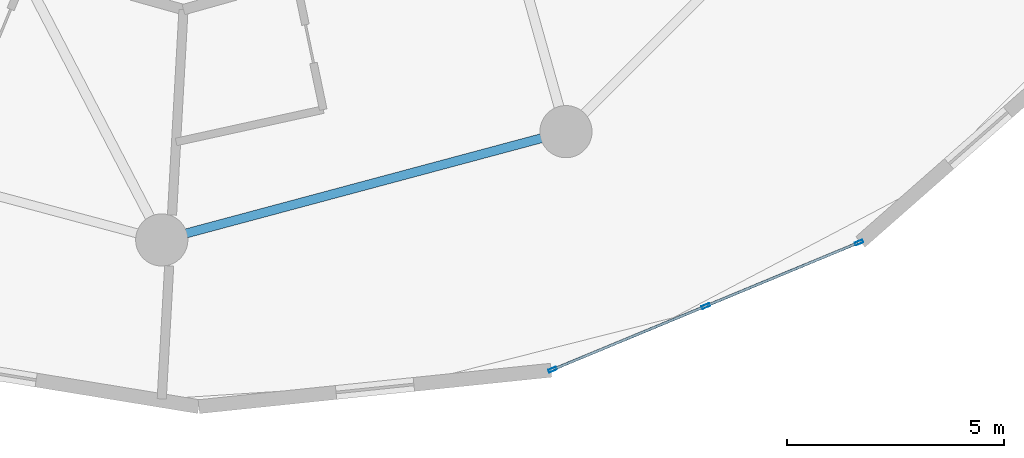
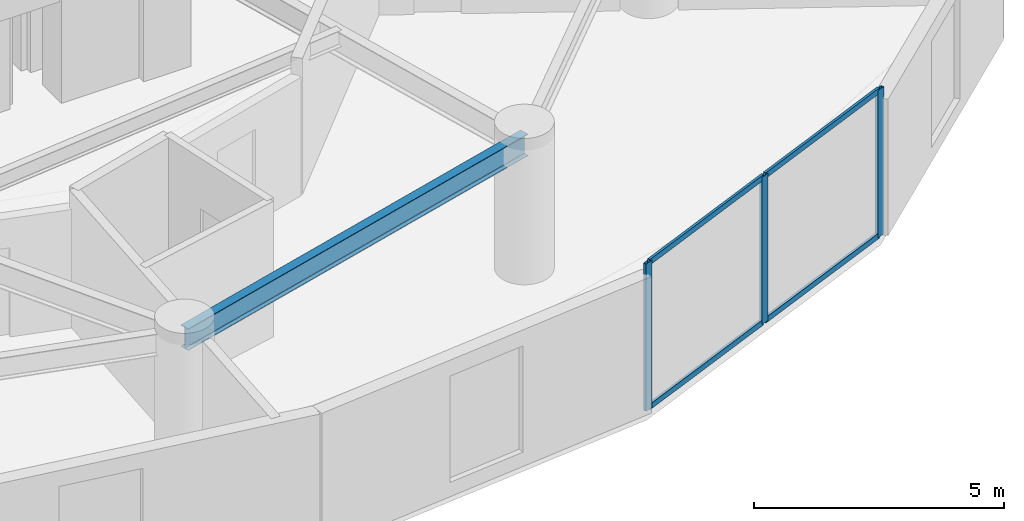
# One storey, part 9 of 26: 7 members, 1 beam, 1 element without a shape of its own.
"""IFC4 building model written with IfcOpenShell, lengths in metres."""

from ifc_helpers import new_model, si_unit, direction, frame, origin, origin_2d, place, context, subcontext, project, spatial, hollow_rectangle, i_section, extrude, source, transform, mapped, material, layer, layer_set, material_profile, profile_set, type_object, element, aggregate, save


model = new_model("IFC4")

# Units and contexts
model_context = context("Model", 3, precision=1e-05, world=origin(), true_north=direction((0.0, 1.0)))
body_context = subcontext(model_context, "Body", "Model", "MODEL_VIEW")
ifc_project = project(units=[si_unit("LENGTHUNIT", "METRE"), si_unit("AREAUNIT", "SQUARE_METRE"), si_unit("VOLUMEUNIT", "CUBIC_METRE"), si_unit("PLANEANGLEUNIT", "RADIAN"), si_unit("MASSUNIT", "GRAM", prefix="KILO")], contexts=[model_context])

# Site, building, storey
site_placement = place(None, origin())
site = spatial("IfcSite", under=ifc_project, at=site_placement, CompositionType="ELEMENT")
building_placement = place(site_placement, origin())
building = spatial("IfcBuilding", under=site, at=building_placement, Name="Solvirekh Grand Hotel", CompositionType="ELEMENT")
storey_placement = place(building_placement, frame((0.0, 0.0, 64.39990234375)))
storey = spatial("IfcBuildingStorey", under=building, at=storey_placement, Name="L15", CompositionType="ELEMENT", Elevation=64.39990234375)

# Beam
ifc_material_1 = material(Name="Steel S355", Category="steel")
ifc_material_profile_1 = material_profile(ifc_material_1, i_section(OverallWidth=0.208984375, OverallDepth=0.532958984375, WebThickness=0.010009765625, FlangeThickness=0.014892578125, FilletRadius=0.013916015625, at=origin_2d()), Name="W530X92")
ifc_profile_set_1 = profile_set([ifc_material_profile_1], Name="Steel S355")
beam_type = type_object("IfcBeamType", Name="Spandrel_Ring_W530", PredefinedType="SPANDREL", material=ifc_profile_set_1)
beam_placement = place(storey_placement, frame((0.0, -18.60009765625, 3.07421875), z_axis=(0.965919414426, 0.258842973314, 0.0), x_axis=(-0.258842973314, 0.965919414426, 0.0)))
element("IfcBeam", 1, at=beam_placement, inside=storey, type_object=beam_type, Name="L15 perimeter spandrel beam 10", PredefinedType="SPANDREL", context=body_context, shape_type="SweptSolid", body=[
    extrude(i_section(OverallWidth=0.208984375, OverallDepth=0.532958984375, WebThickness=0.010009765625, FlangeThickness=0.014892578125, FilletRadius=0.013916015625, at=origin_2d()), origin(), (0.0, 0.0, 1.0), 9.628173828125),
])

# Curtain wall, members
ifc_material_2 = material(Name="Anodized Bronze Aluminium 6063-T6", Category="aluminium")
ifc_layer = layer(ifc_material_2, 0.18994140625)
ifc_layer_set = layer_set([ifc_layer], Name="Anodized Bronze Aluminium 6063-T6")
curtain_wall_type = type_object("IfcCurtainWallType", Name="CW_Sys2_LowZoneFlushBronzeCW", PredefinedType="NOTDEFINED", material=ifc_layer_set)
curtain_wall_placement = place(storey_placement, origin())
curtain_wall = element("IfcCurtainWall", 2, at=curtain_wall_placement, inside=storey, type_object=curtain_wall_type, Name="L15 unitised bronze-glass curtain wall CW-L15-C18", PredefinedType="NOTDEFINED")
ifc_material_profile_2 = material_profile(ifc_material_2, hollow_rectangle(XDim=0.070068359375, YDim=0.18994140625, WallThickness=0.0048828125, at=origin_2d()), Name="ALU RHS 190X70X5")
ifc_profile_set_2 = profile_set([ifc_material_profile_2], Name="Anodized Bronze Aluminium 6063-T6")
member_type_1 = type_object("IfcMemberType", Name="CWMullion_Sys2", PredefinedType="MULLION", material=ifc_profile_set_2)
shared_shape_1 = source(origin(), body_context, "Body", "SweptSolid", [
    extrude(hollow_rectangle(XDim=0.070068359375, YDim=0.18994140625, WallThickness=0.0048828125, at=origin_2d()), origin(), (0.0, 0.0, 1.0), 3.60009765625),
])
member_1_placement = place(storey_placement, frame((8.9912109375, -21.58447265625, 0.0), z_axis=(0.0, 0.0, 1.0), x_axis=(-0.383241896503, 0.923648011293, 0.0)))
member_1 = element("IfcMember", 3, at=member_1_placement, type_object=member_type_1, Name="U02 mullion 1", PredefinedType="MULLION", context=body_context, shape_type="MappedRepresentation", body=[
    mapped(shared_shape_1, transform((0.0, 0.0, 0.0), x_axis=(1.0, 0.0, 0.0), y_axis=(0.0, 1.0, 0.0), z_axis=(0.0, 0.0, 1.0), scale=1.0)),
])
member_2_placement = place(storey_placement, frame((12.517578125, -20.12158203125, 0.0), z_axis=(0.0, 0.0, 1.0), x_axis=(-0.383241896503, 0.923648011293, 0.0)))
member_2 = element("IfcMember", 4, at=member_2_placement, type_object=member_type_1, Name="U02 mullion 2", PredefinedType="MULLION", context=body_context, shape_type="MappedRepresentation", body=[
    mapped(shared_shape_1, transform((0.0, 0.0, 0.0), x_axis=(1.0, 0.0, 0.0), y_axis=(0.0, 1.0, 0.0), z_axis=(0.0, 0.0, 1.0), scale=1.0)),
])
member_3_placement = place(storey_placement, frame((16.043701171875, -18.658447265625, 0.0), z_axis=(0.0, 0.0, 1.0), x_axis=(-0.383241896503, 0.923648011293, 0.0)))
member_3 = element("IfcMember", 5, at=member_3_placement, type_object=member_type_1, Name="U02 mullion 3", PredefinedType="MULLION", context=body_context, shape_type="MappedRepresentation", body=[
    mapped(shared_shape_1, transform((0.0, 0.0, 0.0), x_axis=(1.0, 0.0, 0.0), y_axis=(0.0, 1.0, 0.0), z_axis=(0.0, 0.0, 1.0), scale=1.0)),
])
ifc_material_profile_3 = material_profile(ifc_material_2, hollow_rectangle(XDim=0.06005859375, YDim=0.135009765625, WallThickness=0.00390625, at=origin_2d()), Name="ALU RHS 135X60X4")
ifc_profile_set_3 = profile_set([ifc_material_profile_3], Name="Anodized Bronze Aluminium 6063-T6")
member_type_2 = type_object("IfcMemberType", Name="CWTransom_Sys2", PredefinedType="USERDEFINED", material=ifc_profile_set_3)
shared_shape_2 = source(origin(), body_context, "Body", "SweptSolid", [
    extrude(hollow_rectangle(XDim=0.06005859375, YDim=0.135009765625, WallThickness=0.00390625, at=origin_2d()), origin(), (0.0, 0.0, 1.0), 3.74755859375),
])
member_4_placement = place(storey_placement, frame((9.023681640625, -21.5712890625, 0.030029296875), z_axis=(0.923642577392, 0.383254992439, 0.0), x_axis=(-0.383254992439, 0.923642577392, 0.0)))
member_4 = element("IfcMember", 6, at=member_4_placement, type_object=member_type_2, Name="U02 transom 1.1", ObjectType="TRANSOM", PredefinedType="USERDEFINED", context=body_context, shape_type="MappedRepresentation", body=[
    mapped(shared_shape_2, transform((0.0, 0.0, 0.0), x_axis=(1.0, 0.0, 0.0), y_axis=(0.0, 1.0, 0.0), z_axis=(0.0, 0.0, 1.0), scale=1.0)),
])
member_5_placement = place(storey_placement, frame((9.023681640625, -21.5712890625, 3.570068359375), z_axis=(0.923642577392, 0.383254992439, 0.0), x_axis=(-0.383254992439, 0.923642577392, 0.0)))
member_5 = element("IfcMember", 7, at=member_5_placement, type_object=member_type_2, Name="U02 transom 1.2", ObjectType="TRANSOM", PredefinedType="USERDEFINED", context=body_context, shape_type="MappedRepresentation", body=[
    mapped(shared_shape_2, transform((0.0, 0.0, 0.0), x_axis=(1.0, 0.0, 0.0), y_axis=(0.0, 1.0, 0.0), z_axis=(0.0, 0.0, 1.0), scale=1.0)),
])
member_6_placement = place(storey_placement, frame((12.5498046875, -20.108154296875, 0.030029296875), z_axis=(0.923642577392, 0.383254992439, 0.0), x_axis=(-0.383254992439, 0.923642577392, 0.0)))
member_6 = element("IfcMember", 8, at=member_6_placement, type_object=member_type_2, Name="U02 transom 2.1", ObjectType="TRANSOM", PredefinedType="USERDEFINED", context=body_context, shape_type="MappedRepresentation", body=[
    mapped(shared_shape_2, transform((0.0, 0.0, 0.0), x_axis=(1.0, 0.0, 0.0), y_axis=(0.0, 1.0, 0.0), z_axis=(0.0, 0.0, 1.0), scale=1.0)),
])
member_7_placement = place(storey_placement, frame((12.5498046875, -20.108154296875, 3.570068359375), z_axis=(0.923642577392, 0.383254992439, 0.0), x_axis=(-0.383254992439, 0.923642577392, 0.0)))
member_7 = element("IfcMember", 9, at=member_7_placement, type_object=member_type_2, Name="U02 transom 2.2", ObjectType="TRANSOM", PredefinedType="USERDEFINED", context=body_context, shape_type="MappedRepresentation", body=[
    mapped(shared_shape_2, transform((0.0, 0.0, 0.0), x_axis=(1.0, 0.0, 0.0), y_axis=(0.0, 1.0, 0.0), z_axis=(0.0, 0.0, 1.0), scale=1.0)),
])
aggregate(curtain_wall, [member_1, member_2, member_3, member_4, member_5, member_6, member_7])

save(model, "model.ifc")
